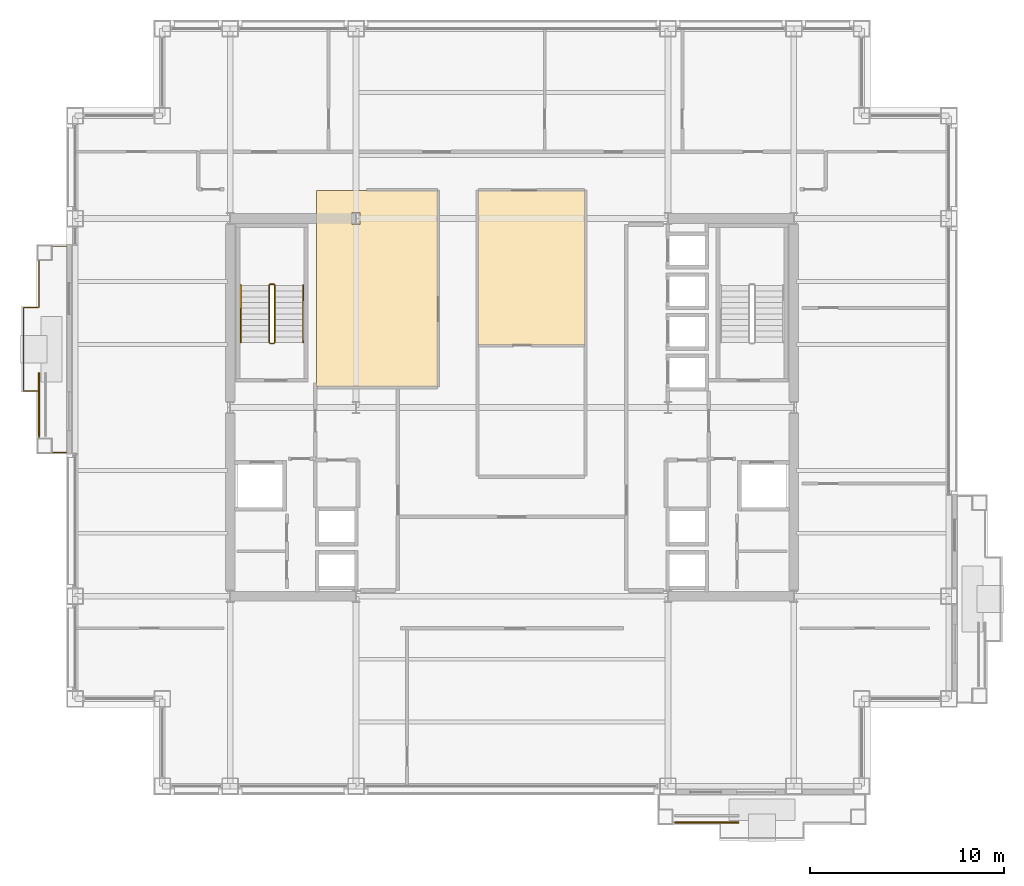
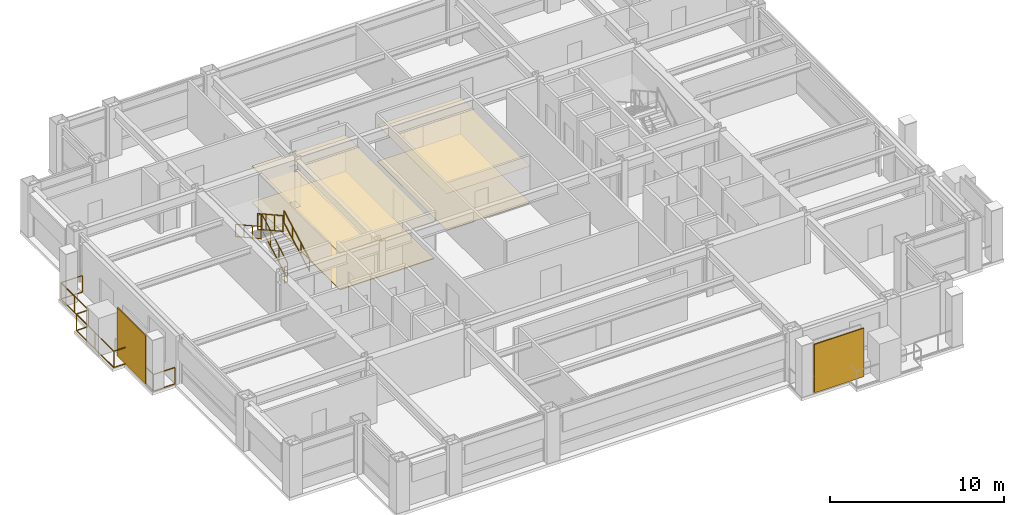
# One storey, part 28 of 30: 7 railings, 4 coverings, 2 shading devices.
"""IFC4 building model written with IfcOpenShell, lengths in metres."""

from ifc_helpers import new_model, si_unit, direction, frame, origin, origin_2d, place, context, subcontext, project, spatial, polyline, rectangle, outline, extrude, material, layer, layer_set, type_object, element, save


model = new_model("IFC4")

# Units and contexts
model_context = context("Model", 3, precision=1e-05, world=origin(), true_north=direction((0.0, 1.0)))
body_context = subcontext(model_context, "Body", "Model", "MODEL_VIEW")
ifc_project = project(units=[si_unit("LENGTHUNIT", "METRE"), si_unit("AREAUNIT", "SQUARE_METRE"), si_unit("VOLUMEUNIT", "CUBIC_METRE"), si_unit("PLANEANGLEUNIT", "RADIAN"), si_unit("MASSUNIT", "GRAM", prefix="KILO")], contexts=[model_context])

# Site, building, storey
site_placement = place(None, origin())
site = spatial("IfcSite", under=ifc_project, at=site_placement, CompositionType="ELEMENT")
building_placement = place(site_placement, origin())
building = spatial("IfcBuilding", under=site, at=building_placement, Name="Brelmoor Portico Tower", CompositionType="ELEMENT")
storey_placement = place(building_placement, frame((0.0, 0.0, 102.60009765625)))
storey = spatial("IfcBuildingStorey", under=building, at=storey_placement, Name="L26", CompositionType="ELEMENT", Elevation=102.60009765625)

# Coverings
ifc_material_1 = material(Name="Perforated Mineral-Fibre Acoustic Ceiling Tile", Category="gypsum")
ifc_layer_1 = layer(ifc_material_1, 0.02490234375)
ifc_layer_set_1 = layer_set([ifc_layer_1], Name="Perforated Mineral-Fibre Acoustic Ceiling Tile")
covering_type_1 = type_object("IfcCoveringType", Name="CV-CEIL-GYPSUM-25", PredefinedType="CEILING", material=ifc_layer_set_1)
covering_1_placement = place(storey_placement, frame((0.0, 0.0, 2.5498046875)))
element("IfcCovering", 1, at=covering_1_placement, inside=storey, type_object=covering_type_1, Name="L26 Acoustic Suspended Ceiling 02", PredefinedType="CEILING", context=body_context, shape_type="SweptSolid", body=[
    extrude(outline(polyline([(-1.760009765625, 3.219970703125), (-1.760009765625, 11.2099609375), (3.780029296875, 11.2099609375), (3.780029296875, 3.219970703125), (-1.760009765625, 3.219970703125)])), origin(), (0.0, 0.0, 1.0), 0.025146484375),
])
ifc_material_2 = material(Name="Slatted FSC Oak Acoustic Feature Ceiling", Category="timber")
ifc_layer_2 = layer(ifc_material_2, 0.052001953125)
ifc_layer_set_2 = layer_set([ifc_layer_2], Name="Slatted FSC Oak Acoustic Feature Ceiling")
covering_type_2 = type_object("IfcCoveringType", Name="CV-CEIL-TIMBER-52", PredefinedType="CEILING", material=ifc_layer_set_2)
covering_2_placement = place(storey_placement, frame((0.0, 0.0, 2.5498046875)))
element("IfcCovering", 2, at=covering_2_placement, inside=storey, type_object=covering_type_2, Name="L26 Acoustic Suspended Ceiling 01", PredefinedType="CEILING", context=body_context, shape_type="SweptSolid", body=[
    extrude(outline(polyline([(-10.080078125, 11.2099609375), (-3.840087890625, 11.2099609375), (-3.840087890625, 1.090087890625), (-10.080078125, 1.090087890625), (-10.080078125, 11.2099609375)]), holes=[polyline([(-7.85009765625, 9.449951171875), (-7.85009765625, 10.050048828125), (-8.25, 10.050048828125), (-8.25, 9.449951171875), (-7.85009765625, 9.449951171875)])]), origin(), (0.0, 0.0, 1.0), 0.052001953125),
])
ifc_material_3 = material(Name="Calcium-Sulphate Raised Access Floor Panel", Category="steel")
ifc_layer_3 = layer(ifc_material_3, 0.06005859375)
ifc_layer_set_3 = layer_set([ifc_layer_3], Name="Calcium-Sulphate Raised Access Floor Panel")
covering_type_3 = type_object("IfcCoveringType", Name="CV-FLR-ACCESS-60", PredefinedType="FLOORING", material=ifc_layer_set_3)
covering_3_placement = place(storey_placement, origin())
element("IfcCovering", 3, at=covering_3_placement, inside=storey, type_object=covering_type_3, Name="L26 Architectural Floor Finish 01", PredefinedType="FLOORING", context=body_context, shape_type="SweptSolid", body=[
    extrude(outline(polyline([(-10.080078125, 11.2099609375), (-3.840087890625, 11.2099609375), (-3.840087890625, 1.090087890625), (-10.080078125, 1.090087890625), (-10.080078125, 11.2099609375)]), holes=[polyline([(-7.85009765625, 9.449951171875), (-7.85009765625, 10.050048828125), (-8.25, 10.050048828125), (-8.25, 9.449951171875), (-7.85009765625, 9.449951171875)])]), origin(), (0.0, 0.0, 1.0), 0.059814453125),
])
ifc_material_4 = material(Name="Solution-Dyed Nylon Acoustic Carpet Tile", Category="textile")
ifc_layer_4 = layer(ifc_material_4, 0.013916015625)
ifc_layer_set_4 = layer_set([ifc_layer_4], Name="Solution-Dyed Nylon Acoustic Carpet Tile")
covering_type_4 = type_object("IfcCoveringType", Name="CV-FLR-CARPET-14", PredefinedType="FLOORING", material=ifc_layer_set_4)
covering_4_placement = place(storey_placement, origin())
element("IfcCovering", 4, at=covering_4_placement, inside=storey, type_object=covering_type_4, Name="L26 Architectural Floor Finish 02", PredefinedType="FLOORING", context=body_context, shape_type="SweptSolid", body=[
    extrude(outline(polyline([(-1.760009765625, 3.219970703125), (-1.760009765625, 11.2099609375), (3.780029296875, 11.2099609375), (3.780029296875, 3.219970703125), (-1.760009765625, 3.219970703125)])), origin(), (0.0, 0.0, 1.0), 0.013916015625),
])

# Railings
ifc_material_5 = material(Name="Perforated Pale Champagne Aluminium Fretwork Guard", Category="aluminium")
railing_type_1 = type_object("IfcRailingType", Name="RL-BALUSTRADE-1200", PredefinedType="BALUSTRADE", material=ifc_material_5)
railing_1_placement = place(storey_placement, frame((-23.0, -2.320068359375, 0.0)))
element("IfcRailing", 5, at=railing_1_placement, inside=storey, type_object=railing_type_1, Name="L26 Tree Balcony Fretwork Balustrade W", PredefinedType="BALUSTRADE", context=body_context, shape_type="SweptSolid", body=[
    extrude(rectangle(XDim=0.048095703125, YDim=0.048095703125, at=origin_2d()), frame((0.0, 0.0, 1.17578125), z_axis=(-1.0, 0.0, 0.0), x_axis=(0.0, -1.0, 0.0)), (0.0, 0.0, 1.0), 1.429931640625),
    extrude(rectangle(XDim=0.048095703125, YDim=0.048095703125, at=origin_2d()), frame((0.0, 0.0, 0.02392578125), z_axis=(-1.0, 0.0, 0.0), x_axis=(0.0, -1.0, 0.0)), (0.0, 0.0, 1.0), 1.429931640625),
    extrude(rectangle(XDim=0.048095703125, YDim=0.048095703125, at=origin_2d()), frame((-1.429931640625, 0.0, 1.17578125), z_axis=(0.0, 1.0, 0.0), x_axis=(-1.0, 0.0, 0.0)), (0.0, 0.0, 1.0), 3.170166015625),
    extrude(rectangle(XDim=0.048095703125, YDim=0.048095703125, at=origin_2d()), frame((-1.429931640625, 0.0, 0.02392578125), z_axis=(0.0, 1.0, 0.0), x_axis=(-1.0, 0.0, 0.0)), (0.0, 0.0, 1.0), 3.170166015625),
    extrude(rectangle(XDim=0.048095703125, YDim=0.048095703125, at=origin_2d()), frame((-1.429931640625, 3.170166015625, 1.17578125), z_axis=(-1.0, 0.0, 0.0), x_axis=(0.0, -1.0, 0.0)), (0.0, 0.0, 1.0), 0.800048828125),
    extrude(rectangle(XDim=0.048095703125, YDim=0.048095703125, at=origin_2d()), frame((-1.429931640625, 3.170166015625, 0.02392578125), z_axis=(-1.0, 0.0, 0.0), x_axis=(0.0, -1.0, 0.0)), (0.0, 0.0, 1.0), 0.800048828125),
    extrude(rectangle(XDim=0.048095703125, YDim=0.048095703125, at=origin_2d()), frame((-2.22998046875, 3.170166015625, 1.17578125), z_axis=(0.0, 1.0, 0.0), x_axis=(-1.0, 0.0, 0.0)), (0.0, 0.0, 1.0), 4.2998046875),
    extrude(rectangle(XDim=0.048095703125, YDim=0.048095703125, at=origin_2d()), frame((-2.22998046875, 3.170166015625, 0.02392578125), z_axis=(0.0, 1.0, 0.0), x_axis=(-1.0, 0.0, 0.0)), (0.0, 0.0, 1.0), 4.2998046875),
    extrude(rectangle(XDim=0.048095703125, YDim=0.048095703125, at=origin_2d()), frame((-2.22998046875, 7.469970703125, 1.17578125), z_axis=(1.0, 0.0, 0.0), x_axis=(0.0, 1.0, 0.0)), (0.0, 0.0, 1.0), 0.800048828125),
    extrude(rectangle(XDim=0.048095703125, YDim=0.048095703125, at=origin_2d()), frame((-2.22998046875, 7.469970703125, 0.02392578125), z_axis=(1.0, 0.0, 0.0), x_axis=(0.0, 1.0, 0.0)), (0.0, 0.0, 1.0), 0.800048828125),
    extrude(rectangle(XDim=0.048095703125, YDim=0.048095703125, at=origin_2d()), frame((-1.429931640625, 7.469970703125, 1.17578125), z_axis=(0.0, 1.0, 0.0), x_axis=(-1.0, 0.0, 0.0)), (0.0, 0.0, 1.0), 3.170166015625),
    extrude(rectangle(XDim=0.048095703125, YDim=0.048095703125, at=origin_2d()), frame((-1.429931640625, 7.469970703125, 0.02392578125), z_axis=(0.0, 1.0, 0.0), x_axis=(-1.0, 0.0, 0.0)), (0.0, 0.0, 1.0), 3.170166015625),
    extrude(rectangle(XDim=0.048095703125, YDim=0.048095703125, at=origin_2d()), frame((-1.429931640625, 10.64013671875, 1.17578125), z_axis=(1.0, 0.0, 0.0), x_axis=(0.0, 1.0, 0.0)), (0.0, 0.0, 1.0), 1.429931640625),
    extrude(rectangle(XDim=0.048095703125, YDim=0.048095703125, at=origin_2d()), frame((-1.429931640625, 10.64013671875, 0.02392578125), z_axis=(1.0, 0.0, 0.0), x_axis=(0.0, 1.0, 0.0)), (0.0, 0.0, 1.0), 1.429931640625),
    extrude(rectangle(XDim=0.0419921875, YDim=0.0419921875, at=origin_2d()), origin(), (0.0, 0.0, 1.0), 1.15185546875),
    extrude(rectangle(XDim=0.0419921875, YDim=0.0419921875, at=origin_2d()), frame((-1.429931640625, 0.0, 0.0)), (0.0, 0.0, 1.0), 1.15185546875),
    extrude(rectangle(XDim=0.0419921875, YDim=0.0419921875, at=origin_2d()), frame((-1.429931640625, 1.5849609375, 0.0)), (0.0, 0.0, 1.0), 1.15185546875),
    extrude(rectangle(XDim=0.0419921875, YDim=0.0419921875, at=origin_2d()), frame((-1.429931640625, 3.170166015625, 0.0)), (0.0, 0.0, 1.0), 1.15185546875),
    extrude(rectangle(XDim=0.0419921875, YDim=0.0419921875, at=origin_2d()), frame((-2.22998046875, 3.170166015625, 0.0)), (0.0, 0.0, 1.0), 1.15185546875),
    extrude(rectangle(XDim=0.0419921875, YDim=0.0419921875, at=origin_2d()), frame((-2.22998046875, 5.320068359375, 0.0)), (0.0, 0.0, 1.0), 1.15185546875),
    extrude(rectangle(XDim=0.0419921875, YDim=0.0419921875, at=origin_2d()), frame((-2.22998046875, 7.469970703125, 0.0)), (0.0, 0.0, 1.0), 1.15185546875),
    extrude(rectangle(XDim=0.0419921875, YDim=0.0419921875, at=origin_2d()), frame((-1.429931640625, 7.469970703125, 0.0)), (0.0, 0.0, 1.0), 1.15185546875),
    extrude(rectangle(XDim=0.0419921875, YDim=0.0419921875, at=origin_2d()), frame((-1.429931640625, 9.05517578125, 0.0)), (0.0, 0.0, 1.0), 1.15185546875),
    extrude(rectangle(XDim=0.0419921875, YDim=0.0419921875, at=origin_2d()), frame((-1.429931640625, 10.64013671875, 0.0)), (0.0, 0.0, 1.0), 1.15185546875),
    extrude(rectangle(XDim=0.0419921875, YDim=0.0419921875, at=origin_2d()), frame((0.0, 10.64013671875, 0.0)), (0.0, 0.0, 1.0), 1.15185546875),
])
ifc_material_6 = material(Name="Painted Tubular Steel Q235B", Category="steel")
railing_type_2 = type_object("IfcRailingType", Name="RL-STAIR-GUARD", PredefinedType="GUARDRAIL", material=ifc_material_6)
railing_2_placement = place(storey_placement, frame((-12.239990234375, 3.35009765625, 0.16357421875)))
element("IfcRailing", 6, at=railing_2_placement, inside=storey, type_object=railing_type_2, Name="L26 ST-W stair guard 1", PredefinedType="GUARDRAIL", context=body_context, shape_type="SweptSolid", body=[
    extrude(rectangle(XDim=0.048095703125, YDim=0.048095703125, at=origin_2d()), frame((0.0, 0.0, 1.1259765625), z_axis=(0.0, 0.87448821551, 0.485046761595), x_axis=(-1.0, 0.0, 0.0)), (0.0, 0.0, 1.0), 3.373291015625),
    extrude(rectangle(XDim=0.048095703125, YDim=0.048095703125, at=origin_2d()), frame((0.0, 0.0, 0.02392578125), z_axis=(0.0, 0.87448821551, 0.485046761595), x_axis=(-1.0, 0.0, 0.0)), (0.0, 0.0, 1.0), 3.373291015625),
    extrude(rectangle(XDim=0.0419921875, YDim=0.0419921875, at=origin_2d()), origin(), (0.0, 0.0, 1.0), 1.101806640625),
    extrude(rectangle(XDim=0.0419921875, YDim=0.0419921875, at=origin_2d()), frame((0.0, 0.9833984375, 0.54541015625)), (0.0, 0.0, 1.0), 1.101806640625),
    extrude(rectangle(XDim=0.0419921875, YDim=0.0419921875, at=origin_2d()), frame((0.0, 1.966552734375, 1.0908203125)), (0.0, 0.0, 1.0), 1.101806640625),
    extrude(rectangle(XDim=0.0419921875, YDim=0.0419921875, at=origin_2d()), frame((0.0, 2.949951171875, 1.63623046875)), (0.0, 0.0, 1.0), 1.101806640625),
])
railing_3_placement = place(storey_placement, frame((-12.2900390625, 6.35009765625, 1.7998046875)))
element("IfcRailing", 7, at=railing_3_placement, inside=storey, type_object=railing_type_2, Name="L26 ST-W stair guard 2", PredefinedType="GUARDRAIL", context=body_context, shape_type="SweptSolid", body=[
    extrude(rectangle(XDim=0.048095703125, YDim=0.048095703125, at=origin_2d()), frame((0.0, 0.0, 1.1259765625), z_axis=(-1.0, 0.0, 0.0), x_axis=(0.0, -1.0, 0.0)), (0.0, 0.0, 1.0), 0.199951171875),
    extrude(rectangle(XDim=0.048095703125, YDim=0.048095703125, at=origin_2d()), frame((0.0, 0.0, 0.02392578125), z_axis=(-1.0, 0.0, 0.0), x_axis=(0.0, -1.0, 0.0)), (0.0, 0.0, 1.0), 0.199951171875),
    extrude(rectangle(XDim=0.0419921875, YDim=0.0419921875, at=origin_2d()), origin(), (0.0, 0.0, 1.0), 1.101806640625),
    extrude(rectangle(XDim=0.0419921875, YDim=0.0419921875, at=origin_2d()), frame((-0.199951171875, 0.0, 0.0)), (0.0, 0.0, 1.0), 1.101806640625),
])
railing_4_placement = place(storey_placement, frame((-12.5400390625, 6.300048828125, 1.963623046875)))
element("IfcRailing", 8, at=railing_4_placement, inside=storey, type_object=railing_type_2, Name="L26 ST-W stair guard 3", PredefinedType="GUARDRAIL", context=body_context, shape_type="SweptSolid", body=[
    extrude(rectangle(XDim=0.048095703125, YDim=0.048095703125, at=origin_2d()), frame((0.0, 0.0, 1.1259765625), z_axis=(0.0, -0.87448821551, 0.485046761595), x_axis=(1.0, 0.0, 0.0)), (0.0, 0.0, 1.0), 3.373291015625),
    extrude(rectangle(XDim=0.048095703125, YDim=0.048095703125, at=origin_2d()), frame((0.0, 0.0, 0.02392578125), z_axis=(0.0, -0.87448821551, 0.485046761595), x_axis=(1.0, 0.0, 0.0)), (0.0, 0.0, 1.0), 3.373291015625),
    extrude(rectangle(XDim=0.0419921875, YDim=0.0419921875, at=origin_2d()), origin(), (0.0, 0.0, 1.0), 1.101806640625),
    extrude(rectangle(XDim=0.0419921875, YDim=0.0419921875, at=origin_2d()), frame((0.0, -0.9833984375, 0.54541015625)), (0.0, 0.0, 1.0), 1.101806640625),
    extrude(rectangle(XDim=0.0419921875, YDim=0.0419921875, at=origin_2d()), frame((0.0, -1.966552734375, 1.0908203125)), (0.0, 0.0, 1.0), 1.101806640625),
    extrude(rectangle(XDim=0.0419921875, YDim=0.0419921875, at=origin_2d()), frame((0.0, -2.949951171875, 1.63623046875)), (0.0, 0.0, 1.0), 1.101806640625),
])
railing_5_placement = place(storey_placement, frame((-12.2900390625, 3.300048828125, 0.0)))
element("IfcRailing", 9, at=railing_5_placement, inside=storey, type_object=railing_type_2, Name="L26 ST-W stair guard 4", PredefinedType="GUARDRAIL", context=body_context, shape_type="SweptSolid", body=[
    extrude(rectangle(XDim=0.048095703125, YDim=0.048095703125, at=origin_2d()), frame((0.0, 0.0, 1.1259765625), z_axis=(-1.0, 0.0, 0.0), x_axis=(0.0, -1.0, 0.0)), (0.0, 0.0, 1.0), 0.199951171875),
    extrude(rectangle(XDim=0.048095703125, YDim=0.048095703125, at=origin_2d()), frame((0.0, 0.0, 0.02392578125), z_axis=(-1.0, 0.0, 0.0), x_axis=(0.0, -1.0, 0.0)), (0.0, 0.0, 1.0), 0.199951171875),
    extrude(rectangle(XDim=0.0419921875, YDim=0.0419921875, at=origin_2d()), origin(), (0.0, 0.0, 1.0), 1.101806640625),
    extrude(rectangle(XDim=0.0419921875, YDim=0.0419921875, at=origin_2d()), frame((-0.199951171875, 0.0, 0.0)), (0.0, 0.0, 1.0), 1.101806640625),
])
ifc_material_7 = material(Name="Brushed Stainless Steel 304", Category="steel")
railing_type_3 = type_object("IfcRailingType", Name="RL-STAIR-HANDRAIL", PredefinedType="HANDRAIL", material=ifc_material_7)
railing_6_placement = place(storey_placement, frame((-10.780029296875, 3.35009765625, 0.16357421875)))
element("IfcRailing", 10, at=railing_6_placement, inside=storey, type_object=railing_type_3, Name="L26 ST-W stair handrail 1", PredefinedType="HANDRAIL", context=body_context, shape_type="SweptSolid", body=[
    extrude(rectangle(XDim=0.048095703125, YDim=0.048095703125, at=origin_2d()), frame((0.0, 0.0, 0.8759765625), z_axis=(0.0, 0.87448821551, 0.485046761595), x_axis=(-1.0, 0.0, 0.0)), (0.0, 0.0, 1.0), 3.373291015625),
    extrude(rectangle(XDim=0.048095703125, YDim=0.048095703125, at=origin_2d()), frame((0.0, 0.0, 0.02392578125), z_axis=(0.0, 0.87448821551, 0.485046761595), x_axis=(-1.0, 0.0, 0.0)), (0.0, 0.0, 1.0), 3.373291015625),
    extrude(rectangle(XDim=0.0419921875, YDim=0.0419921875, at=origin_2d()), origin(), (0.0, 0.0, 1.0), 0.851806640625),
    extrude(rectangle(XDim=0.0419921875, YDim=0.0419921875, at=origin_2d()), frame((0.0, 0.9833984375, 0.54541015625)), (0.0, 0.0, 1.0), 0.851806640625),
    extrude(rectangle(XDim=0.0419921875, YDim=0.0419921875, at=origin_2d()), frame((0.0, 1.966552734375, 1.0908203125)), (0.0, 0.0, 1.0), 0.851806640625),
    extrude(rectangle(XDim=0.0419921875, YDim=0.0419921875, at=origin_2d()), frame((0.0, 2.949951171875, 1.63623046875)), (0.0, 0.0, 1.0), 0.851806640625),
])
railing_7_placement = place(storey_placement, frame((-14.0, 6.300048828125, 1.963623046875)))
element("IfcRailing", 11, at=railing_7_placement, inside=storey, type_object=railing_type_3, Name="L26 ST-W stair handrail 2", PredefinedType="HANDRAIL", context=body_context, shape_type="SweptSolid", body=[
    extrude(rectangle(XDim=0.048095703125, YDim=0.048095703125, at=origin_2d()), frame((0.0, 0.0, 0.8759765625), z_axis=(0.0, -0.87448821551, 0.485046761595), x_axis=(1.0, 0.0, 0.0)), (0.0, 0.0, 1.0), 3.373291015625),
    extrude(rectangle(XDim=0.048095703125, YDim=0.048095703125, at=origin_2d()), frame((0.0, 0.0, 0.02392578125), z_axis=(0.0, -0.87448821551, 0.485046761595), x_axis=(1.0, 0.0, 0.0)), (0.0, 0.0, 1.0), 3.373291015625),
    extrude(rectangle(XDim=0.0419921875, YDim=0.0419921875, at=origin_2d()), origin(), (0.0, 0.0, 1.0), 0.851806640625),
    extrude(rectangle(XDim=0.0419921875, YDim=0.0419921875, at=origin_2d()), frame((0.0, -0.9833984375, 0.54541015625)), (0.0, 0.0, 1.0), 0.851806640625),
    extrude(rectangle(XDim=0.0419921875, YDim=0.0419921875, at=origin_2d()), frame((0.0, -1.966552734375, 1.0908203125)), (0.0, 0.0, 1.0), 0.851806640625),
    extrude(rectangle(XDim=0.0419921875, YDim=0.0419921875, at=origin_2d()), frame((0.0, -2.949951171875, 1.63623046875)), (0.0, 0.0, 1.0), 0.851806640625),
])

# Shading devices
ifc_material_8 = material(Name="Powder-Coated Aluminium Shuttered Jalousie", Category="aluminium")
ifc_layer_5 = layer(ifc_material_8, 0.080078125)
ifc_layer_set_5 = layer_set([ifc_layer_5], Name="Powder-Coated Aluminium Shuttered Jalousie")
shading_device_type = type_object("IfcShadingDeviceType", Name="SD-JALOUSIE-LOGGIA", PredefinedType="JALOUSIE", material=ifc_layer_set_5)
for number, where, z_axis, x_axis, name in (
    (12, (10.050048828125, -21.429931640625, 0.0), (0.0, 0.0, 1.0), (1.0, 0.0, 0.0), "L26 Loggia Shuttered Jalousie S"),
    (13, (-24.429931640625, 0.14990234375, 0.0), (0.0, 0.0, 1.0), (0.0, 1.0, 0.0), "L26 Loggia Shuttered Jalousie W"),
):
    element("IfcShadingDevice", number, at=place(storey_placement, frame(where, z_axis=z_axis, x_axis=x_axis)), inside=storey, type_object=shading_device_type, Name=name, PredefinedType="JALOUSIE", context=body_context, shape_type="SweptSolid", body=[
        extrude(rectangle(XDim=3.300048828125, YDim=0.080078125, at=origin_2d()), origin(), (0.0, 0.0, 1.0), 3.39990234375),
    ])

save(model, "model.ifc")
